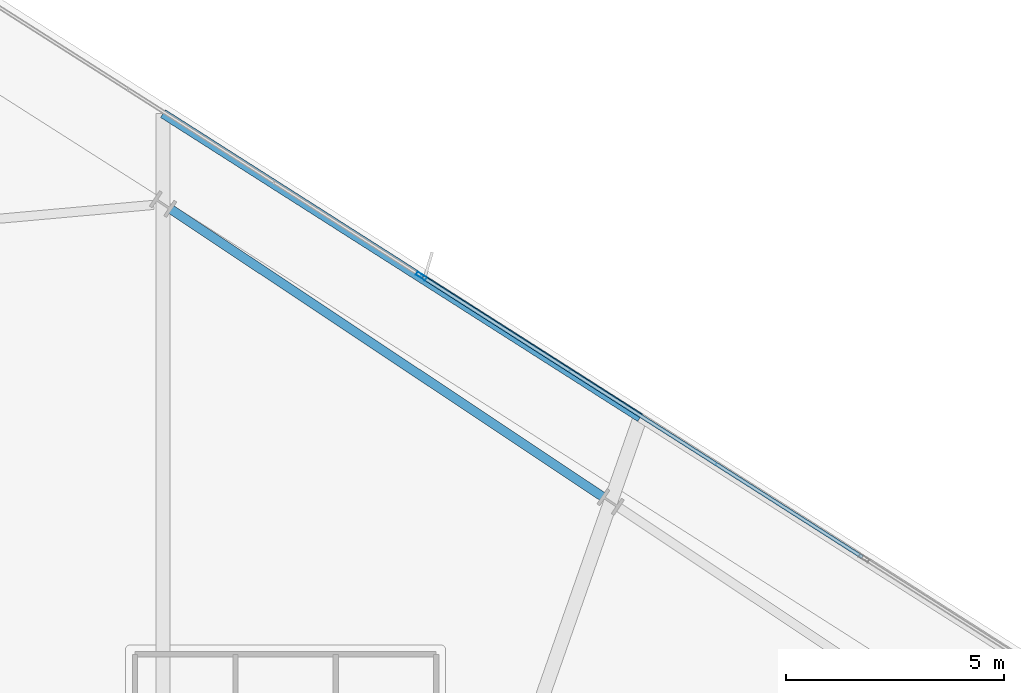
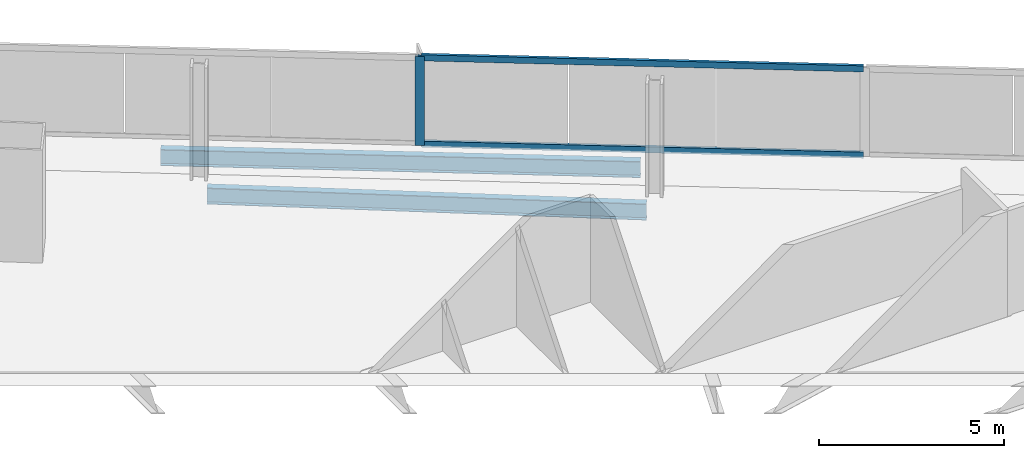
# One storey, part 20 of 30: 3 members, 2 beams, 1 element without a shape of its own.
"""IFC4 building model written with IfcOpenShell, lengths in metres."""

from ifc_helpers import new_model, si_unit, direction, frame, origin, origin_2d, place, context, subcontext, project, spatial, hollow_rectangle, i_section, extrude, material, material_profile, profile_set, type_object, element, aggregate, save


model = new_model("IFC4")

# Units and contexts
model_context = context("Model", 3, precision=1e-05, world=origin(), true_north=direction((0.0, 1.0)))
body_context = subcontext(model_context, "Body", "Model", "MODEL_VIEW")
ifc_project = project(units=[si_unit("LENGTHUNIT", "METRE"), si_unit("AREAUNIT", "SQUARE_METRE"), si_unit("VOLUMEUNIT", "CUBIC_METRE"), si_unit("PLANEANGLEUNIT", "RADIAN"), si_unit("MASSUNIT", "GRAM", prefix="KILO")], contexts=[model_context])

# Site, building, storey
site_placement = place(None, origin())
site = spatial("IfcSite", under=ifc_project, at=site_placement, CompositionType="ELEMENT")
building_placement = place(site_placement, origin())
building = spatial("IfcBuilding", under=site, at=building_placement, Name="Haldenkirk Collegiate Tower", CompositionType="ELEMENT")
storey_placement = place(building_placement, frame((0.0, 0.0, 220.949951171875)))
storey = spatial("IfcBuildingStorey", under=building, at=storey_placement, Name="L55", CompositionType="ELEMENT", Elevation=220.949951171875)

# Beams
ifc_material_1 = material(Name="Steel ASTM A992 Grade 50", Category="steel")
ifc_material_profile_1 = material_profile(ifc_material_1, i_section(OverallWidth=0.2099609375, OverallDepth=0.537109375, WebThickness=0.010986328125, FlangeThickness=0.017333984375, at=origin_2d()), Name="W21X68")
ifc_profile_set_1 = profile_set([ifc_material_profile_1], Name="Steel ASTM A992 Grade 50")
beam_type = type_object("IfcBeamType", Name="BM-SPANDREL-W21X68", PredefinedType="SPANDREL", material=ifc_profile_set_1)
beam_1_placement = place(storey_placement, frame((48.266845703125, 43.96240234375, -0.54833984375), z_axis=(-0.832429330124, 0.554131221237, 0.0), x_axis=(-0.554131221237, -0.832429330124, 0.0)))
element("IfcBeam", 1, at=beam_1_placement, inside=storey, type_object=beam_type, Name="L55 perimeter spandrel beam 07", PredefinedType="SPANDREL", context=body_context, shape_type="SweptSolid", body=[
    extrude(i_section(OverallWidth=0.2099609375, OverallDepth=0.537109375, WebThickness=0.010986328125, FlangeThickness=0.017333984375, at=origin_2d()), origin(), (0.0, 0.0, 1.0), 11.88525390625),
])
beam_2_placement = place(storey_placement, frame((49.12451171875, 45.775146484375, -0.54833984375), z_axis=(-0.84339225725, 0.537298334643, 0.0), x_axis=(-0.537298334643, -0.84339225725, 0.0)))
element("IfcBeam", 2, at=beam_2_placement, inside=storey, type_object=beam_type, Name="L55 outer facade edge beam 2B", PredefinedType="SPANDREL", context=body_context, shape_type="SweptSolid", body=[
    extrude(i_section(OverallWidth=0.2099609375, OverallDepth=0.537109375, WebThickness=0.010986328125, FlangeThickness=0.017333984375, at=origin_2d()), origin(), (0.0, 0.0, 1.0), 12.9619140625),
])

# Curtain wall, members
ifc_material_2 = material(Name="Anodised architectural bronze aluminium", Category="aluminium")
curtain_wall_type = type_object("IfcCurtainWallType", Name="CW-SYS1B-CONVEX-HI", PredefinedType="USERDEFINED", material=ifc_material_2)
curtain_wall_placement = place(storey_placement, origin())
curtain_wall = element("IfcCurtainWall", 3, at=curtain_wall_placement, inside=storey, type_object=curtain_wall_type, Name="L55 Upper tower high-wind convex bronze unitised curtain wall", ObjectType="UNITISED CURTAIN WALL", PredefinedType="USERDEFINED")
ifc_material_profile_2 = material_profile(ifc_material_2, hollow_rectangle(XDim=0.0849609375, YDim=0.25, WallThickness=0.0048828125, at=origin_2d()), Name="CW-MUL-1B")
ifc_profile_set_2 = profile_set([ifc_material_profile_2], Name="Anodised architectural bronze aluminium")
member_type_1 = type_object("IfcMemberType", Name="CW-MUL-1B", PredefinedType="MULLION", material=ifc_profile_set_2)
member_1_placement = place(storey_placement, frame((44.11181640625, 49.01611328125, 0.0), z_axis=(0.0, 0.0, 1.0), x_axis=(0.537299803563, 0.843391321447, 0.0)))
member_1 = element("IfcMember", 4, at=member_1_placement, type_object=member_type_1, Name="CW-1B mullion 2", PredefinedType="MULLION", context=body_context, shape_type="SweptSolid", body=[
    extrude(hollow_rectangle(XDim=0.0849609375, YDim=0.25, WallThickness=0.0048828125, at=origin_2d()), origin(), (0.0, 0.0, 1.0), 2.927978515625),
])
ifc_material_profile_3 = material_profile(ifc_material_2, hollow_rectangle(XDim=0.0849609375, YDim=0.199951171875, WallThickness=0.0048828125, at=origin_2d()), Name="CW-TRN-1B")
ifc_profile_set_3 = profile_set([ifc_material_profile_3], Name="Anodised architectural bronze aluminium")
member_type_2 = type_object("IfcMemberType", Name="CW-TRN-1B", PredefinedType="USERDEFINED", material=ifc_profile_set_3)
member_2_placement = place(storey_placement, frame((44.147705078125, 48.9931640625, 0.04248046875), z_axis=(0.843393642245, -0.537296160624, 0.0), x_axis=(0.537296160624, 0.843393642245, 0.0)))
member_2 = element("IfcMember", 5, at=member_2_placement, type_object=member_type_2, Name="CW-1B transom 2.1", ObjectType="TRANSOM", PredefinedType="USERDEFINED", context=body_context, shape_type="SweptSolid", body=[
    extrude(hollow_rectangle(XDim=0.0849609375, YDim=0.199951171875, WallThickness=0.0048828125, at=origin_2d()), origin(), (0.0, 0.0, 1.0), 11.93994140625),
])
member_3_placement = place(storey_placement, frame((44.147705078125, 48.9931640625, 2.885498046875), z_axis=(0.843393642245, -0.537296160624, 0.0), x_axis=(0.537296160624, 0.843393642245, 0.0)))
member_3 = element("IfcMember", 6, at=member_3_placement, type_object=member_type_2, Name="CW-1B transom 2.2", ObjectType="TRANSOM", PredefinedType="USERDEFINED", context=body_context, shape_type="SweptSolid", body=[
    extrude(hollow_rectangle(XDim=0.0849609375, YDim=0.199951171875, WallThickness=0.0048828125, at=origin_2d()), origin(), (0.0, 0.0, 1.0), 11.93994140625),
])
aggregate(curtain_wall, [member_1, member_2, member_3])

save(model, "model.ifc")
